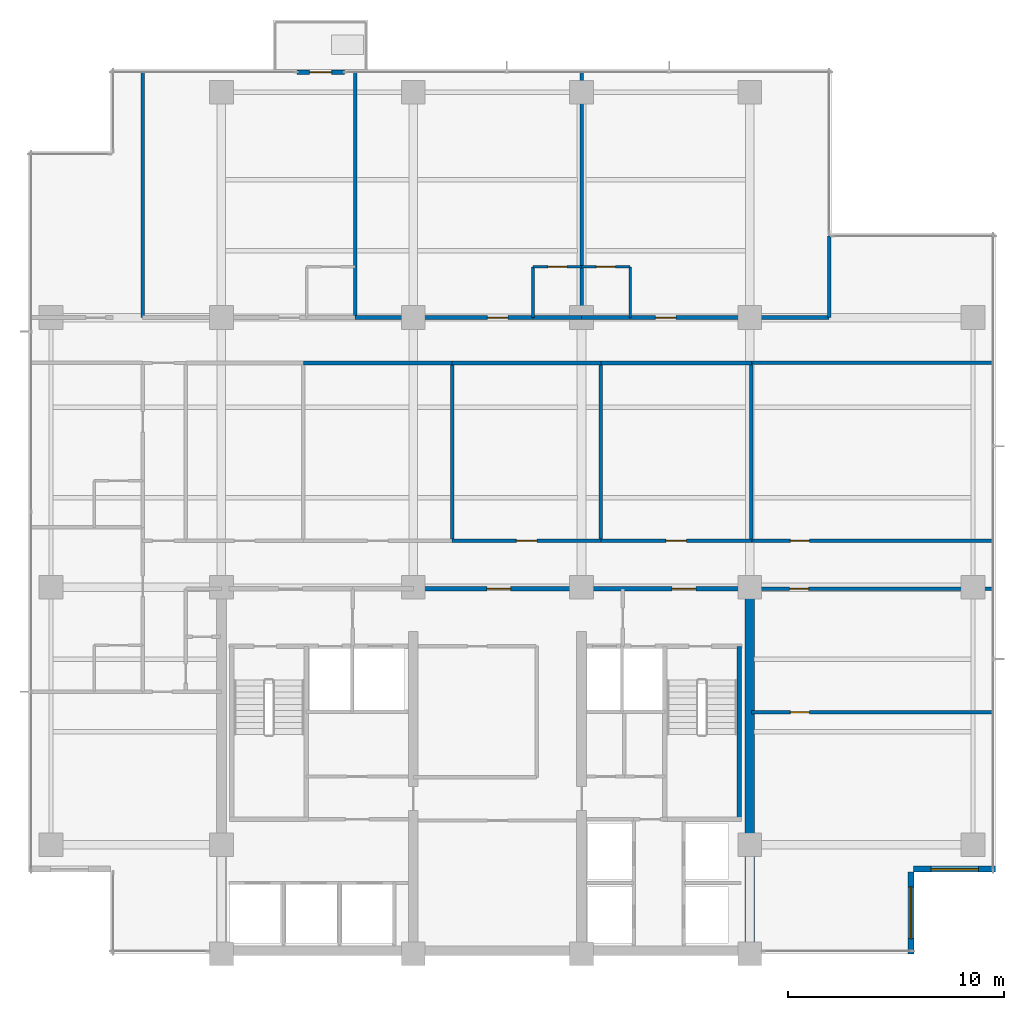
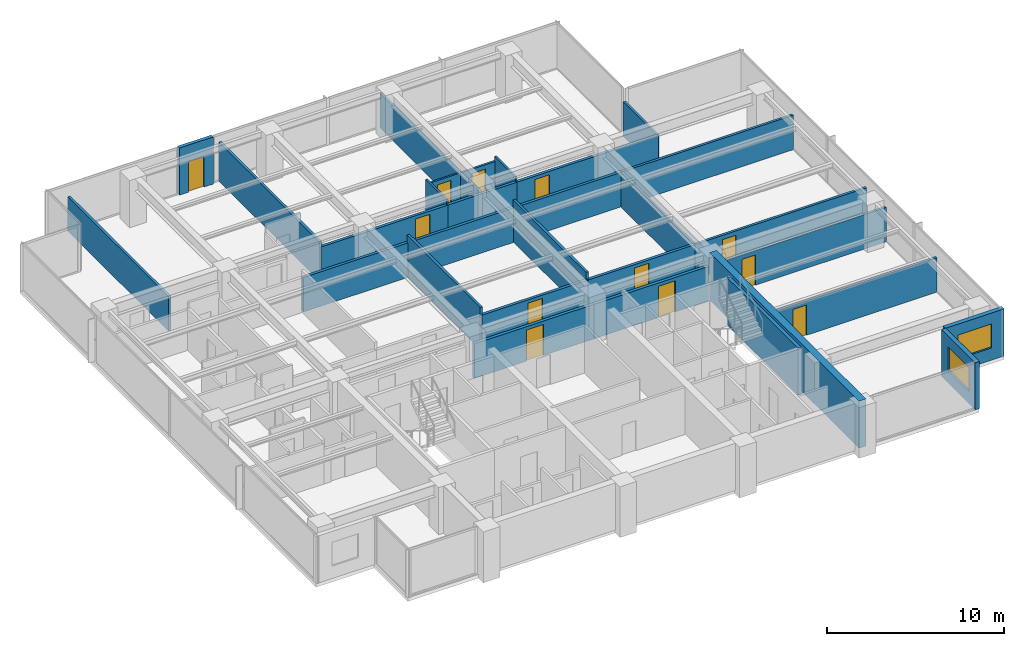
# One storey, part 9 of 14: 31 walls, 12 doors, 2 windows, 14 openings.
"""IFC4 building model written with IfcOpenShell, lengths in metres."""

from ifc_helpers import new_model, si_unit, direction, frame, frame_2d, origin, place, context, subcontext, project, spatial, rectangle, extrude, material, layer, layer_set, type_object, element, fill, save


model = new_model("IFC4")

# Units and contexts
model_context = context("Model", 3, precision=1e-05, world=origin(), true_north=direction((0.0, 1.0)))
body_context = subcontext(model_context, "Body", "Model", "MODEL_VIEW")
ifc_project = project(units=[si_unit("LENGTHUNIT", "METRE"), si_unit("AREAUNIT", "SQUARE_METRE"), si_unit("VOLUMEUNIT", "CUBIC_METRE"), si_unit("PLANEANGLEUNIT", "RADIAN"), si_unit("MASSUNIT", "GRAM", prefix="KILO")], contexts=[model_context])

# Site, building, storey
site_placement = place(None, origin())
site = spatial("IfcSite", under=ifc_project, at=site_placement, CompositionType="ELEMENT")
building_placement = place(site_placement, origin())
building = spatial("IfcBuilding", under=site, at=building_placement, Name="Qalmaran Belvedere Hotel", CompositionType="ELEMENT")
storey_placement = place(building_placement, frame((0.0, 0.0, 166.60009765625)))
storey = spatial("IfcBuildingStorey", under=building, at=storey_placement, Name="L42", CompositionType="ELEMENT", Elevation=166.60009765625)

# Wall, opening, door
ifc_material_1 = material(Name="Anodised Bronze Cladding")
ifc_layer_1 = layer(ifc_material_1, 0.22509765625, Name="Anodised Bronze Cladding")
ifc_layer_set_1 = layer_set([ifc_layer_1], Name="Anodised Bronze Cladding")
wall_type_1 = type_object("IfcWallType", Name="WL-BAL-PORT-225", PredefinedType="SOLIDWALL", material=ifc_layer_set_1)
wall_1_placement = place(storey_placement, frame((23.800048828125, 44.3798828125, 0.0), z_axis=(0.0, 0.0, 1.0), x_axis=(1.0, 0.0, 0.0)))
wall_1 = element("IfcWall", 1, at=wall_1_placement, inside=storey, type_object=wall_type_1, Name="L42 Tree Balcony Door Portal", PredefinedType="SOLIDWALL", context=body_context, shape_type="SweptSolid", body=[
    extrude(rectangle(XDim=2.199951171875, YDim=0.22509765625, at=frame_2d((1.10009765625, 0.0))), origin(), (0.0, 0.0, 1.0), 3.25),
])
opening_1_placement = place(wall_1_placement, frame((0.590087890625, 0.0, 0.0)))
opening_1 = element("IfcOpeningElement", 2, at=opening_1_placement, cuts=wall_1, Name="Opening BL-102", PredefinedType="OPENING", context=body_context, shape_type="SweptSolid", body=[
    extrude(rectangle(XDim=1.02001953125, YDim=2.10009765625, at=frame_2d((0.510009765625, 1.050048828125))), frame((0.0, 0.12255859375, 0.0), z_axis=(0.0, -1.0, 0.0), x_axis=(1.0, 0.0, 0.0)), (0.0, 0.0, 1.0), 0.2451171875),
])
ifc_material_2 = material(Name="Anodised Bronze Aluminium", Category="aluminium")
door_type_1 = type_object("IfcDoorType", Name="DR-BAL-1020X2100", OperationType="NOTDEFINED", PredefinedType="DOOR", material=ifc_material_2)
door_1_placement = place(opening_1_placement, origin())
door_1 = element("IfcDoor", 3, at=door_1_placement, inside=storey, type_object=door_type_1, Name="L42 Planted Tree Balcony Door", OperationType="SINGLE_SWING_LEFT", OverallHeight=2.10009765625, OverallWidth=1.02001953125, PredefinedType="DOOR", context=body_context, shape_type="SweptSolid", body=[
    extrude(rectangle(XDim=1.02001953125, YDim=2.10009765625, at=frame_2d((0.510009765625, 1.050048828125))), frame((0.0, 0.02490234375, 0.0), z_axis=(0.0, -1.0, 0.0), x_axis=(1.0, 0.0, 0.0)), (0.0, 0.0, 1.0), 0.050048828125),
])
fill(opening_1, door_1)

# Wall
ifc_material_3 = material(Name="Concrete C50/60", Category="concrete")
ifc_layer_2 = layer(ifc_material_3, 0.449951171875, Name="Concrete C50/60")
ifc_layer_set_2 = layer_set([ifc_layer_2], Name="Concrete C50/60")
wall_type_2 = type_object("IfcWallType", Name="WL-CORE-450-C50", PredefinedType="SHEAR", material=ifc_layer_set_2)
wall_2_placement = place(storey_placement, frame((44.800048828125, 3.5, 0.0), z_axis=(0.0, 0.0, 1.0), x_axis=(0.0, 1.0, 0.0)))
element("IfcWall", 4, at=wall_2_placement, inside=storey, type_object=wall_type_2, Name="L42 East Core Shear Wall", PredefinedType="SHEAR", context=body_context, shape_type="SweptSolid", body=[
    extrude(rectangle(XDim=16.89990234375, YDim=0.449951171875, at=frame_2d((8.449951171875, 0.0))), origin(), (0.0, 0.0, 1.0), 3.25),
])

# Wall, opening, window
ifc_layer_3 = layer(ifc_material_1, 0.280029296875, Name="Anodised Bronze Cladding")
ifc_layer_set_3 = layer_set([ifc_layer_3], Name="Anodised Bronze Cladding")
wall_type_3 = type_object("IfcWallType", Name="WL-EXT-BRNZ-280", PredefinedType="SOLIDWALL", material=ifc_layer_set_3)
wall_3_placement = place(storey_placement, frame((52.280029296875, 3.5, 0.0), z_axis=(0.0, 0.0, 1.0), x_axis=(0.0, 1.0, 0.0)))
wall_3 = element("IfcWall", 5, at=wall_3_placement, inside=storey, type_object=wall_type_3, Name="L42 Corner Notch Wall 1", PredefinedType="SOLIDWALL", context=body_context, shape_type="SweptSolid", body=[
    extrude(rectangle(XDim=3.800048828125, YDim=0.280029296875, at=frame_2d((1.89990234375, 0.0))), origin(), (0.0, 0.0, 1.0), 3.25),
])
opening_2_placement = place(wall_3_placement, frame((0.699951171875, 0.0, 0.85009765625)))
opening_2 = element("IfcOpeningElement", 6, at=opening_2_placement, cuts=wall_3, Name="Opening W-N24", PredefinedType="OPENING", context=body_context, shape_type="SweptSolid", body=[
    extrude(rectangle(XDim=2.39990234375, YDim=1.64990234375, at=frame_2d((1.199951171875, 0.824951171875))), frame((0.0, 0.14990234375, 0.0), z_axis=(0.0, -1.0, 0.0), x_axis=(1.0, 0.0, 0.0)), (0.0, 0.0, 1.0), 0.300048828125),
])
ifc_material_4 = material(Name="Solar-Control Double Glazing", Category="glass")
window_type_1 = type_object("IfcWindowType", Name="WN-NTC-2400X1650", PartitioningType="SINGLE_PANEL", PredefinedType="WINDOW", material=ifc_material_4)
window_1_placement = place(opening_2_placement, origin())
window_1 = element("IfcWindow", 7, at=window_1_placement, inside=storey, type_object=window_type_1, Name="L42 Corner Notch Window 1", OverallHeight=1.64990234375, OverallWidth=2.39990234375, PartitioningType="SINGLE_PANEL", PredefinedType="WINDOW", context=body_context, shape_type="SweptSolid", body=[
    extrude(rectangle(XDim=2.39990234375, YDim=1.64990234375, at=frame_2d((1.199951171875, 0.824951171875))), frame((0.0, 0.030029296875, 0.0), z_axis=(0.0, -1.0, 0.0), x_axis=(1.0, 0.0, 0.0)), (0.0, 0.0, 1.0), 0.06005859375),
])
fill(opening_2, window_1)

wall_4_placement = place(storey_placement, frame((52.39990234375, 7.419921875, 0.0), z_axis=(0.0, 0.0, 1.0), x_axis=(1.0, 0.0, 0.0)))
wall_4 = element("IfcWall", 8, at=wall_4_placement, inside=storey, type_object=wall_type_3, Name="L42 Corner Notch Wall 2", PredefinedType="SOLIDWALL", context=body_context, shape_type="SweptSolid", body=[
    extrude(rectangle(XDim=3.800048828125, YDim=0.280029296875, at=frame_2d((1.89990234375, 0.0))), origin(), (0.0, 0.0, 1.0), 3.25),
])
opening_3_placement = place(wall_4_placement, frame((0.800048828125, 0.0, 0.85009765625)))
opening_3 = element("IfcOpeningElement", 9, at=opening_3_placement, cuts=wall_4, Name="Opening W-N22", PredefinedType="OPENING", context=body_context, shape_type="SweptSolid", body=[
    extrude(rectangle(XDim=2.199951171875, YDim=1.64990234375, at=frame_2d((1.10009765625, 0.824951171875))), frame((0.0, 0.14990234375, 0.0), z_axis=(0.0, -1.0, 0.0), x_axis=(1.0, 0.0, 0.0)), (0.0, 0.0, 1.0), 0.300048828125),
])
window_type_2 = type_object("IfcWindowType", Name="WN-NTC-2200X1650", PartitioningType="SINGLE_PANEL", PredefinedType="WINDOW", material=ifc_material_4)
window_2_placement = place(opening_3_placement, origin())
window_2 = element("IfcWindow", 10, at=window_2_placement, inside=storey, type_object=window_type_2, Name="L42 Corner Notch Window 2", OverallHeight=1.64990234375, OverallWidth=2.199951171875, PartitioningType="SINGLE_PANEL", PredefinedType="WINDOW", context=body_context, shape_type="SweptSolid", body=[
    extrude(rectangle(XDim=2.199951171875, YDim=1.64990234375, at=frame_2d((1.10009765625, 0.824951171875))), frame((0.0, 0.030029296875, 0.0), z_axis=(0.0, -1.0, 0.0), x_axis=(1.0, 0.0, 0.0)), (0.0, 0.0, 1.0), 0.06005859375),
])
fill(opening_3, window_2)

# Wall, opening, door
ifc_material_5 = material(Name="Moisture-Resistant Gypsum")
ifc_layer_4 = layer(ifc_material_5, 0.1201171875, Name="Moisture-Resistant Gypsum")
ifc_layer_set_4 = layer_set([ifc_layer_4], Name="Moisture-Resistant Gypsum")
wall_type_4 = type_object("IfcWallType", Name="WL-INT-120-BATH", PredefinedType="PARTITIONING", material=ifc_layer_set_4)
wall_5_placement = place(storey_placement, frame((34.75, 35.35009765625, 0.0), z_axis=(0.0, 0.0, 1.0), x_axis=(1.0, 0.0, 0.0)))
wall_5 = element("IfcWall", 11, at=wall_5_placement, inside=storey, type_object=wall_type_4, Name="L42 Partition WL-L42-NBN01", PredefinedType="PARTITIONING", context=body_context, shape_type="SweptSolid", body=[
    extrude(rectangle(XDim=2.25, YDim=0.1201171875, at=frame_2d((1.125, 0.0))), origin(), (0.0, 0.0, 1.0), 2.3798828125),
])
opening_4_placement = place(wall_5_placement, frame((1.56494140625, 0.0, 0.0), z_axis=(0.0, 0.0, 1.0), x_axis=(-1.0, 0.0, 0.0)))
opening_4 = element("IfcOpeningElement", 12, at=opening_4_placement, cuts=wall_5, Name="Opening D-BATH", PredefinedType="OPENING", context=body_context, shape_type="SweptSolid", body=[
    extrude(rectangle(XDim=0.8798828125, YDim=2.080078125, at=frame_2d((0.43994140625, 1.0400390625))), frame((0.0, 0.070068359375, 0.0), z_axis=(0.0, -1.0, 0.0), x_axis=(1.0, 0.0, 0.0)), (0.0, 0.0, 1.0), 0.14013671875),
])
ifc_material_6 = material(Name="Engineered Oak Veneer")
door_type_2 = type_object("IfcDoorType", Name="DR-INT-BATH-880X2080", OperationType="NOTDEFINED", PredefinedType="DOOR", material=ifc_material_6)
door_2_placement = place(opening_4_placement, origin())
door_2 = element("IfcDoor", 13, at=door_2_placement, inside=storey, type_object=door_type_2, Name="L42 Ensuite Bathroom Door N02", OperationType="SINGLE_SWING_RIGHT", OverallHeight=2.080078125, OverallWidth=0.8798828125, PredefinedType="DOOR", context=body_context, shape_type="SweptSolid", body=[
    extrude(rectangle(XDim=0.8798828125, YDim=2.080078125, at=frame_2d((0.43994140625, 1.0400390625))), frame((0.0, 0.02490234375, 0.0), z_axis=(0.0, -1.0, 0.0), x_axis=(1.0, 0.0, 0.0)), (0.0, 0.0, 1.0), 0.050048828125),
])
fill(opening_4, door_2)

# Wall
wall_6_placement = place(storey_placement, frame((34.75, 33.0, 0.0), z_axis=(0.0, 0.0, 1.0), x_axis=(0.0, 1.0, 0.0)))
element("IfcWall", 14, at=wall_6_placement, inside=storey, type_object=wall_type_4, Name="L42 Partition WL-L42-NBS01", PredefinedType="PARTITIONING", context=body_context, shape_type="SweptSolid", body=[
    extrude(rectangle(XDim=2.35009765625, YDim=0.1201171875, at=frame_2d((1.175048828125, 0.0))), origin(), (0.0, 0.0, 1.0), 2.69189453125),
])

# Wall, opening, door
wall_7_placement = place(storey_placement, frame((37.0, 35.35009765625, 0.0), z_axis=(0.0, 0.0, 1.0), x_axis=(1.0, 0.0, 0.0)))
wall_7 = element("IfcWall", 15, at=wall_7_placement, inside=storey, type_object=wall_type_4, Name="L42 Partition WL-L42-NBN02", PredefinedType="PARTITIONING", context=body_context, shape_type="SweptSolid", body=[
    extrude(rectangle(XDim=2.25, YDim=0.1201171875, at=frame_2d((1.125, 0.0))), origin(), (0.0, 0.0, 1.0), 2.3798828125),
])
opening_5_placement = place(wall_7_placement, frame((1.56494140625, 0.0, 0.0), z_axis=(0.0, 0.0, 1.0), x_axis=(-1.0, 0.0, 0.0)))
opening_5 = element("IfcOpeningElement", 16, at=opening_5_placement, cuts=wall_7, Name="Opening D-BATH", PredefinedType="OPENING", context=body_context, shape_type="SweptSolid", body=[
    extrude(rectangle(XDim=0.8798828125, YDim=2.080078125, at=frame_2d((0.43994140625, 1.0400390625))), frame((0.0, 0.070068359375, 0.0), z_axis=(0.0, -1.0, 0.0), x_axis=(1.0, 0.0, 0.0)), (0.0, 0.0, 1.0), 0.14013671875),
])
door_3_placement = place(opening_5_placement, origin())
door_3 = element("IfcDoor", 17, at=door_3_placement, inside=storey, type_object=door_type_2, Name="L42 Ensuite Bathroom Door N03", OperationType="SINGLE_SWING_RIGHT", OverallHeight=2.080078125, OverallWidth=0.8798828125, PredefinedType="DOOR", context=body_context, shape_type="SweptSolid", body=[
    extrude(rectangle(XDim=0.8798828125, YDim=2.080078125, at=frame_2d((0.43994140625, 1.0400390625))), frame((0.0, 0.02490234375, 0.0), z_axis=(0.0, -1.0, 0.0), x_axis=(1.0, 0.0, 0.0)), (0.0, 0.0, 1.0), 0.050048828125),
])
fill(opening_5, door_3)

# Wall
wall_8_placement = place(storey_placement, frame((39.25, 33.0, 0.0), z_axis=(0.0, 0.0, 1.0), x_axis=(0.0, 1.0, 0.0)))
element("IfcWall", 18, at=wall_8_placement, inside=storey, type_object=wall_type_4, Name="L42 Partition WL-L42-NBS02", PredefinedType="PARTITIONING", context=body_context, shape_type="SweptSolid", body=[
    extrude(rectangle(XDim=2.35009765625, YDim=0.1201171875, at=frame_2d((1.175048828125, 0.0))), origin(), (0.0, 0.0, 1.0), 2.69189453125),
])

# Wall, opening, door
ifc_material_7 = material(Name="Gypsum Stud Partition")
ifc_layer_5 = layer(ifc_material_7, 0.14990234375, Name="Gypsum Stud Partition")
ifc_layer_set_5 = layer_set([ifc_layer_5], Name="Gypsum Stud Partition")
wall_type_5 = type_object("IfcWallType", Name="WL-INT-150-EI60", PredefinedType="PARTITIONING", material=ifc_layer_set_5)
wall_9_placement = place(storey_placement, frame((44.8798828125, 14.699951171875, 0.0), z_axis=(0.0, 0.0, 1.0), x_axis=(1.0, 0.0, 0.0)))
wall_9 = element("IfcWall", 19, at=wall_9_placement, inside=storey, type_object=wall_type_5, Name="L42 Partition WL-L42-ECEH0", PredefinedType="PARTITIONING", context=body_context, shape_type="SweptSolid", body=[
    extrude(rectangle(XDim=11.2001953125, YDim=0.14990234375, at=frame_2d((5.60009765625, 0.0))), origin(), (0.0, 0.0, 1.0), 2.3798828125),
])
opening_6_placement = place(wall_9_placement, frame((2.679931640625, 0.0, 0.0), z_axis=(0.0, 0.0, 1.0), x_axis=(-1.0, 0.0, 0.0)))
opening_6 = element("IfcOpeningElement", 20, at=opening_6_placement, cuts=wall_9, Name="Opening FD60B", PredefinedType="OPENING", context=body_context, shape_type="SweptSolid", body=[
    extrude(rectangle(XDim=0.8798828125, YDim=2.080078125, at=frame_2d((0.43994140625, 1.0400390625))), frame((0.0, 0.0849609375, 0.0), z_axis=(0.0, -1.0, 0.0), x_axis=(1.0, 0.0, 0.0)), (0.0, 0.0, 1.0), 0.169921875),
])
ifc_material_8 = material(Name="Steel S355JR", Category="steel")
door_type_3 = type_object("IfcDoorType", Name="DR-FD60B-880X2080", OperationType="NOTDEFINED", PredefinedType="DOOR", material=ifc_material_8)
door_4_placement = place(opening_6_placement, origin())
door_4 = element("IfcDoor", 21, at=door_4_placement, inside=storey, type_object=door_type_3, Name="L42 East Study Inner Door", OperationType="SINGLE_SWING_LEFT", OverallHeight=2.080078125, OverallWidth=0.8798828125, PredefinedType="DOOR", context=body_context, shape_type="SweptSolid", body=[
    extrude(rectangle(XDim=0.8798828125, YDim=2.080078125, at=frame_2d((0.43994140625, 1.0400390625))), frame((0.0, 0.02490234375, 0.0), z_axis=(0.0, -1.0, 0.0), x_axis=(1.0, 0.0, 0.0)), (0.0, 0.0, 1.0), 0.050048828125),
])
fill(opening_6, door_4)

ifc_layer_6 = layer(ifc_material_7, 0.159912109375, Name="Gypsum Stud Partition")
ifc_layer_set_6 = layer_set([ifc_layer_6], Name="Gypsum Stud Partition")
wall_type_6 = type_object("IfcWallType", Name="WL-INT-160-EI60", PredefinedType="PARTITIONING", material=ifc_layer_set_6)
wall_10_placement = place(storey_placement, frame((44.800048828125, 20.419921875, 0.0), z_axis=(0.0, 0.0, 1.0), x_axis=(1.0, 0.0, 0.0)))
wall_10 = element("IfcWall", 22, at=wall_10_placement, inside=storey, type_object=wall_type_6, Name="L42 Partition WL-L42-ECE1S", PredefinedType="PARTITIONING", context=body_context, shape_type="SweptSolid", body=[
    extrude(rectangle(XDim=11.280029296875, YDim=0.159912109375, at=frame_2d((5.64013671875, 0.0))), origin(), (0.0, 0.0, 1.0), 2.3798828125),
])
opening_7_placement = place(wall_10_placement, frame((2.72998046875, 0.0, 0.0), z_axis=(0.0, 0.0, 1.0), x_axis=(-1.0, 0.0, 0.0)))
opening_7 = element("IfcOpeningElement", 23, at=opening_7_placement, cuts=wall_10, Name="Opening FD60B", PredefinedType="OPENING", context=body_context, shape_type="SweptSolid", body=[
    extrude(rectangle(XDim=0.8798828125, YDim=2.080078125, at=frame_2d((0.43994140625, 1.0400390625))), frame((0.0, 0.08984375, 0.0), z_axis=(0.0, -1.0, 0.0), x_axis=(1.0, 0.0, 0.0)), (0.0, 0.0, 1.0), 0.179931640625),
])
door_5_placement = place(opening_7_placement, origin())
door_5 = element("IfcDoor", 24, at=door_5_placement, inside=storey, type_object=door_type_3, Name="L42 East Library Door", OperationType="SINGLE_SWING_RIGHT", OverallHeight=2.080078125, OverallWidth=0.8798828125, PredefinedType="DOOR", context=body_context, shape_type="SweptSolid", body=[
    extrude(rectangle(XDim=0.8798828125, YDim=2.080078125, at=frame_2d((0.43994140625, 1.0400390625))), frame((0.0, 0.02490234375, 0.0), z_axis=(0.0, -1.0, 0.0), x_axis=(1.0, 0.0, 0.0)), (0.0, 0.0, 1.0), 0.050048828125),
])
fill(opening_7, door_5)

wall_11_placement = place(storey_placement, frame((44.8798828125, 22.64990234375, 0.0), z_axis=(0.0, 0.0, 1.0), x_axis=(1.0, 0.0, 0.0)))
wall_11 = element("IfcWall", 25, at=wall_11_placement, inside=storey, type_object=wall_type_6, Name="L42 Partition WL-L42-ECE2N", PredefinedType="PARTITIONING", context=body_context, shape_type="SweptSolid", body=[
    extrude(rectangle(XDim=11.2001953125, YDim=0.159912109375, at=frame_2d((5.60009765625, 0.0))), origin(), (0.0, 0.0, 1.0), 2.3798828125),
])
opening_8_placement = place(wall_11_placement, frame((1.800048828125, 0.0, 0.0)))
opening_8 = element("IfcOpeningElement", 26, at=opening_8_placement, cuts=wall_11, Name="Opening FD60B", PredefinedType="OPENING", context=body_context, shape_type="SweptSolid", body=[
    extrude(rectangle(XDim=0.8798828125, YDim=2.080078125, at=frame_2d((0.43994140625, 1.0400390625))), frame((0.0, 0.08984375, 0.0), z_axis=(0.0, -1.0, 0.0), x_axis=(1.0, 0.0, 0.0)), (0.0, 0.0, 1.0), 0.179931640625),
])
door_6_placement = place(opening_8_placement, origin())
door_6 = element("IfcDoor", 27, at=door_6_placement, inside=storey, type_object=door_type_3, Name="L42 East Fitness Door", OperationType="SINGLE_SWING_LEFT", OverallHeight=2.080078125, OverallWidth=0.8798828125, PredefinedType="DOOR", context=body_context, shape_type="SweptSolid", body=[
    extrude(rectangle(XDim=0.8798828125, YDim=2.080078125, at=frame_2d((0.43994140625, 1.0400390625))), frame((0.0, 0.02490234375, 0.0), z_axis=(0.0, -1.0, 0.0), x_axis=(1.0, 0.0, 0.0)), (0.0, 0.0, 1.0), 0.050048828125),
])
fill(opening_8, door_6)

# Walls
wall_12_placement = place(storey_placement, frame((44.8798828125, 30.89990234375, 0.0), z_axis=(0.0, 0.0, 1.0), x_axis=(1.0, 0.0, 0.0)))
element("IfcWall", 28, at=wall_12_placement, inside=storey, type_object=wall_type_6, Name="L42 Partition WL-L42-ECEN", PredefinedType="PARTITIONING", context=body_context, shape_type="SweptSolid", body=[
    extrude(rectangle(XDim=11.2001953125, YDim=0.159912109375, at=frame_2d((5.60009765625, 0.0))), origin(), (0.0, 0.0, 1.0), 2.3798828125),
])
for number, where, z_axis, x_axis, name in (
    (29, (31.0, 22.64990234375, 0.0), (0.0, 0.0, 1.0), (0.0, 1.0, 0.0), "L42 Partition WL-L42-MIDVR2"),
    (30, (37.89990234375, 22.64990234375, 0.0), (0.0, 0.0, 1.0), (0.0, 1.0, 0.0), "L42 Partition WL-L42-MIDVR3"),
):
    element("IfcWall", number, at=place(storey_placement, frame(where, z_axis=z_axis, x_axis=x_axis)), inside=storey, type_object=wall_type_6, Name=name, PredefinedType="PARTITIONING", context=body_context, shape_type="SweptSolid", body=[
        extrude(rectangle(XDim=8.25, YDim=0.159912109375, at=frame_2d((4.125, 0.0))), origin(), (0.0, 0.0, 1.0), 2.880859375),
    ])
wall_13_placement = place(storey_placement, frame((44.8798828125, 22.64990234375, 0.0), z_axis=(0.0, 0.0, 1.0), x_axis=(0.0, 1.0, 0.0)))
element("IfcWall", 31, at=wall_13_placement, inside=storey, type_object=wall_type_6, Name="L42 Partition WL-L42-MIDVR4", PredefinedType="PARTITIONING", context=body_context, shape_type="SweptSolid", body=[
    extrude(rectangle(XDim=8.25, YDim=0.159912109375, at=frame_2d((4.125, 0.0))), origin(), (0.0, 0.0, 1.0), 2.3798828125),
])
wall_14_placement = place(storey_placement, frame((16.64990234375, 33.0, 0.0), z_axis=(0.0, 0.0, 1.0), x_axis=(0.0, 1.0, 0.0)))
element("IfcWall", 32, at=wall_14_placement, inside=storey, type_object=wall_type_6, Name="L42 Partition WL-L42-NUL", PredefinedType="PARTITIONING", context=body_context, shape_type="SweptSolid", body=[
    extrude(rectangle(XDim=11.3798828125, YDim=0.159912109375, at=frame_2d((5.68994140625, 0.0))), origin(), (0.0, 0.0, 1.0), 2.3798828125),
])
wall_15_placement = place(storey_placement, frame((26.5, 33.0, 0.0), z_axis=(0.0, 0.0, 1.0), x_axis=(0.0, 1.0, 0.0)))
element("IfcWall", 33, at=wall_15_placement, inside=storey, type_object=wall_type_6, Name="L42 Partition WL-L42-NUR00", PredefinedType="PARTITIONING", context=body_context, shape_type="SweptSolid", body=[
    extrude(rectangle(XDim=11.3798828125, YDim=0.159912109375, at=frame_2d((5.68994140625, 0.0))), origin(), (0.0, 0.0, 1.0), 2.69189453125),
])
wall_16_placement = place(storey_placement, frame((37.0, 33.0, 0.0), z_axis=(0.0, 0.0, 1.0), x_axis=(0.0, 1.0, 0.0)))
element("IfcWall", 34, at=wall_16_placement, inside=storey, type_object=wall_type_6, Name="L42 Partition WL-L42-NUR01", PredefinedType="PARTITIONING", context=body_context, shape_type="SweptSolid", body=[
    extrude(rectangle(XDim=11.3798828125, YDim=0.159912109375, at=frame_2d((5.68994140625, 0.0))), origin(), (0.0, 0.0, 1.0), 2.3798828125),
])
wall_17_placement = place(storey_placement, frame((48.47998046875, 33.0, 0.0), z_axis=(0.0, 0.0, 1.0), x_axis=(0.0, 1.0, 0.0)))
element("IfcWall", 35, at=wall_17_placement, inside=storey, type_object=wall_type_6, Name="L42 Partition WL-L42-NUR02", PredefinedType="PARTITIONING", context=body_context, shape_type="SweptSolid", body=[
    extrude(rectangle(XDim=3.780029296875, YDim=0.159912109375, at=frame_2d((1.89013671875, 0.0))), origin(), (0.0, 0.0, 1.0), 2.3798828125),
])
ifc_layer_7 = layer(ifc_material_7, 0.179931640625, Name="Gypsum Stud Partition")
ifc_layer_set_7 = layer_set([ifc_layer_7], Name="Gypsum Stud Partition")
wall_type_7 = type_object("IfcWallType", Name="WL-INT-180-EI60", PredefinedType="PARTITIONING", material=ifc_layer_set_7)
wall_18_placement = place(storey_placement, frame((24.10009765625, 30.89990234375, 0.0), z_axis=(0.0, 0.0, 1.0), x_axis=(1.0, 0.0, 0.0)))
element("IfcWall", 36, at=wall_18_placement, inside=storey, type_object=wall_type_7, Name="L42 Partition WL-L42-MIDO2", PredefinedType="PARTITIONING", context=body_context, shape_type="SweptSolid", body=[
    extrude(rectangle(XDim=6.89990234375, YDim=0.179931640625, at=frame_2d((3.449951171875, 0.0))), origin(), (0.0, 0.0, 1.0), 2.3798828125),
])

# Wall, opening, door
wall_19_placement = place(storey_placement, frame((31.0, 22.64990234375, 0.0), z_axis=(0.0, 0.0, 1.0), x_axis=(1.0, 0.0, 0.0)))
wall_19 = element("IfcWall", 37, at=wall_19_placement, inside=storey, type_object=wall_type_7, Name="L42 Partition WL-L42-MIDD3", PredefinedType="PARTITIONING", context=body_context, shape_type="SweptSolid", body=[
    extrude(rectangle(XDim=6.89990234375, YDim=0.179931640625, at=frame_2d((3.449951171875, 0.0))), origin(), (0.0, 0.0, 1.0), 2.3798828125),
])
opening_9_placement = place(wall_19_placement, frame((2.97509765625, 0.0, 0.0)))
opening_9 = element("IfcOpeningElement", 38, at=opening_9_placement, cuts=wall_19, Name="Opening FD60", PredefinedType="OPENING", context=body_context, shape_type="SweptSolid", body=[
    extrude(rectangle(XDim=0.949951171875, YDim=2.14990234375, at=frame_2d((0.47509765625, 1.074951171875))), frame((0.0, 0.10009765625, 0.0), z_axis=(0.0, -1.0, 0.0), x_axis=(1.0, 0.0, 0.0)), (0.0, 0.0, 1.0), 0.199951171875),
])
door_type_4 = type_object("IfcDoorType", Name="DR-FD60-950X2150", OperationType="NOTDEFINED", PredefinedType="DOOR", material=ifc_material_6)
door_7_placement = place(opening_9_placement, origin())
door_7 = element("IfcDoor", 39, at=door_7_placement, inside=storey, type_object=door_type_4, Name="L42 Coffee Pantry Door", OperationType="SINGLE_SWING_RIGHT", OverallHeight=2.14990234375, OverallWidth=0.949951171875, PredefinedType="DOOR", context=body_context, shape_type="SweptSolid", body=[
    extrude(rectangle(XDim=0.949951171875, YDim=2.14990234375, at=frame_2d((0.47509765625, 1.074951171875))), frame((0.0, 0.02490234375, 0.0), z_axis=(0.0, -1.0, 0.0), x_axis=(1.0, 0.0, 0.0)), (0.0, 0.0, 1.0), 0.050048828125),
])
fill(opening_9, door_7)

# Wall
wall_20_placement = place(storey_placement, frame((31.0, 30.89990234375, 0.0), z_axis=(0.0, 0.0, 1.0), x_axis=(1.0, 0.0, 0.0)))
element("IfcWall", 40, at=wall_20_placement, inside=storey, type_object=wall_type_7, Name="L42 Partition WL-L42-MIDO3", PredefinedType="PARTITIONING", context=body_context, shape_type="SweptSolid", body=[
    extrude(rectangle(XDim=6.89990234375, YDim=0.179931640625, at=frame_2d((3.449951171875, 0.0))), origin(), (0.0, 0.0, 1.0), 2.3798828125),
])

# Wall, opening, door
wall_21_placement = place(storey_placement, frame((37.89990234375, 22.64990234375, 0.0), z_axis=(0.0, 0.0, 1.0), x_axis=(1.0, 0.0, 0.0)))
wall_21 = element("IfcWall", 41, at=wall_21_placement, inside=storey, type_object=wall_type_7, Name="L42 Partition WL-L42-MIDD4", PredefinedType="PARTITIONING", context=body_context, shape_type="SweptSolid", body=[
    extrude(rectangle(XDim=6.97998046875, YDim=0.179931640625, at=frame_2d((3.489990234375, 0.0))), origin(), (0.0, 0.0, 1.0), 2.3798828125),
])
opening_10_placement = place(wall_21_placement, frame((3.014892578125, 0.0, 0.0)))
opening_10 = element("IfcOpeningElement", 42, at=opening_10_placement, cuts=wall_21, Name="Opening FD60", PredefinedType="OPENING", context=body_context, shape_type="SweptSolid", body=[
    extrude(rectangle(XDim=0.949951171875, YDim=2.14990234375, at=frame_2d((0.47509765625, 1.074951171875))), frame((0.0, 0.10009765625, 0.0), z_axis=(0.0, -1.0, 0.0), x_axis=(1.0, 0.0, 0.0)), (0.0, 0.0, 1.0), 0.199951171875),
])
door_8_placement = place(opening_10_placement, origin())
door_8 = element("IfcDoor", 43, at=door_8_placement, inside=storey, type_object=door_type_4, Name="L42 Beverage Pantry Door", OperationType="SINGLE_SWING_LEFT", OverallHeight=2.14990234375, OverallWidth=0.949951171875, PredefinedType="DOOR", context=body_context, shape_type="SweptSolid", body=[
    extrude(rectangle(XDim=0.949951171875, YDim=2.14990234375, at=frame_2d((0.47509765625, 1.074951171875))), frame((0.0, 0.02490234375, 0.0), z_axis=(0.0, -1.0, 0.0), x_axis=(1.0, 0.0, 0.0)), (0.0, 0.0, 1.0), 0.050048828125),
])
fill(opening_10, door_8)

# Walls
wall_22_placement = place(storey_placement, frame((37.89990234375, 30.89990234375, 0.0), z_axis=(0.0, 0.0, 1.0), x_axis=(1.0, 0.0, 0.0)))
element("IfcWall", 44, at=wall_22_placement, inside=storey, type_object=wall_type_7, Name="L42 Partition WL-L42-MIDO4", PredefinedType="PARTITIONING", context=body_context, shape_type="SweptSolid", body=[
    extrude(rectangle(XDim=6.97998046875, YDim=0.179931640625, at=frame_2d((3.489990234375, 0.0))), origin(), (0.0, 0.0, 1.0), 2.3798828125),
])
wall_23_placement = place(storey_placement, frame((34.75, 33.0, 0.0), z_axis=(0.0, 0.0, 1.0), x_axis=(1.0, 0.0, 0.0)))
element("IfcWall", 45, at=wall_23_placement, inside=storey, type_object=wall_type_7, Name="L42 Partition WL-L42-NBC01", PredefinedType="PARTITIONING", context=body_context, shape_type="SweptSolid", body=[
    extrude(rectangle(XDim=2.25, YDim=0.179931640625, at=frame_2d((1.125, 0.0))), origin(), (0.0, 0.0, 1.0), 2.3798828125),
])

# Wall, opening, door
wall_24_placement = place(storey_placement, frame((26.5, 33.0, 0.0), z_axis=(0.0, 0.0, 1.0), x_axis=(1.0, 0.0, 0.0)))
wall_24 = element("IfcWall", 46, at=wall_24_placement, inside=storey, type_object=wall_type_7, Name="L42 Partition WL-L42-NEC01", PredefinedType="PARTITIONING", context=body_context, shape_type="SweptSolid", body=[
    extrude(rectangle(XDim=8.25, YDim=0.179931640625, at=frame_2d((4.125, 0.0))), origin(), (0.0, 0.0, 1.0), 2.3798828125),
])
opening_11_placement = place(wall_24_placement, frame((6.1337890625, 0.0, 0.0)))
opening_11 = element("IfcOpeningElement", 47, at=opening_11_placement, cuts=wall_24, Name="Opening FD60", PredefinedType="OPENING", context=body_context, shape_type="SweptSolid", body=[
    extrude(rectangle(XDim=0.949951171875, YDim=2.14990234375, at=frame_2d((0.47509765625, 1.074951171875))), frame((0.0, 0.10009765625, 0.0), z_axis=(0.0, -1.0, 0.0), x_axis=(1.0, 0.0, 0.0)), (0.0, 0.0, 1.0), 0.199951171875),
])
door_9_placement = place(opening_11_placement, origin())
door_9 = element("IfcDoor", 48, at=door_9_placement, inside=storey, type_object=door_type_4, Name="L42 Guest Entrance Door N02", OperationType="SINGLE_SWING_LEFT", OverallHeight=2.14990234375, OverallWidth=0.949951171875, PredefinedType="DOOR", context=body_context, shape_type="SweptSolid", body=[
    extrude(rectangle(XDim=0.949951171875, YDim=2.14990234375, at=frame_2d((0.47509765625, 1.074951171875))), frame((0.0, 0.02490234375, 0.0), z_axis=(0.0, -1.0, 0.0), x_axis=(1.0, 0.0, 0.0)), (0.0, 0.0, 1.0), 0.050048828125),
])
fill(opening_11, door_9)

# Wall
wall_25_placement = place(storey_placement, frame((37.0, 33.0, 0.0), z_axis=(0.0, 0.0, 1.0), x_axis=(1.0, 0.0, 0.0)))
element("IfcWall", 49, at=wall_25_placement, inside=storey, type_object=wall_type_7, Name="L42 Partition WL-L42-NBC02", PredefinedType="PARTITIONING", context=body_context, shape_type="SweptSolid", body=[
    extrude(rectangle(XDim=2.25, YDim=0.179931640625, at=frame_2d((1.125, 0.0))), origin(), (0.0, 0.0, 1.0), 2.3798828125),
])

# Wall, opening, door
wall_26_placement = place(storey_placement, frame((39.25, 33.0, 0.0), z_axis=(0.0, 0.0, 1.0), x_axis=(1.0, 0.0, 0.0)))
wall_26 = element("IfcWall", 50, at=wall_26_placement, inside=storey, type_object=wall_type_7, Name="L42 Partition WL-L42-NEC02", PredefinedType="PARTITIONING", context=body_context, shape_type="SweptSolid", body=[
    extrude(rectangle(XDim=9.22998046875, YDim=0.179931640625, at=frame_2d((4.614990234375, 0.0))), origin(), (0.0, 0.0, 1.0), 2.3798828125),
])
opening_12_placement = place(wall_26_placement, frame((1.17041015625, 0.0, 0.0)))
opening_12 = element("IfcOpeningElement", 51, at=opening_12_placement, cuts=wall_26, Name="Opening FD60", PredefinedType="OPENING", context=body_context, shape_type="SweptSolid", body=[
    extrude(rectangle(XDim=0.949951171875, YDim=2.14990234375, at=frame_2d((0.47509765625, 1.074951171875))), frame((0.0, 0.10009765625, 0.0), z_axis=(0.0, -1.0, 0.0), x_axis=(1.0, 0.0, 0.0)), (0.0, 0.0, 1.0), 0.199951171875),
])
door_10_placement = place(opening_12_placement, origin())
door_10 = element("IfcDoor", 52, at=door_10_placement, inside=storey, type_object=door_type_4, Name="L42 Guest Entrance Door N03", OperationType="SINGLE_SWING_LEFT", OverallHeight=2.14990234375, OverallWidth=0.949951171875, PredefinedType="DOOR", context=body_context, shape_type="SweptSolid", body=[
    extrude(rectangle(XDim=0.949951171875, YDim=2.14990234375, at=frame_2d((0.47509765625, 1.074951171875))), frame((0.0, 0.02490234375, 0.0), z_axis=(0.0, -1.0, 0.0), x_axis=(1.0, 0.0, 0.0)), (0.0, 0.0, 1.0), 0.050048828125),
])
fill(opening_12, door_10)

ifc_material_9 = material(Name="Concrete C30/37 Blockwork", Category="masonry")
ifc_layer_8 = layer(ifc_material_9, 0.199951171875, Name="Concrete C30/37 Blockwork")
ifc_layer_set_8 = layer_set([ifc_layer_8], Name="Concrete C30/37 Blockwork")
wall_type_8 = type_object("IfcWallType", Name="WL-INT-200-EI120", PredefinedType="PARTITIONING", material=ifc_layer_set_8)
wall_27_placement = place(storey_placement, frame((29.199951171875, 20.419921875, 0.0), z_axis=(0.0, 0.0, 1.0), x_axis=(1.0, 0.0, 0.0)))
wall_27 = element("IfcWall", 53, at=wall_27_placement, inside=storey, type_object=wall_type_8, Name="L42 Partition WL-CN2-L42", PredefinedType="PARTITIONING", context=body_context, shape_type="SweptSolid", body=[
    extrude(rectangle(XDim=7.800048828125, YDim=0.199951171875, at=frame_2d((3.89990234375, 0.0))), origin(), (0.0, 0.0, 1.0), 2.3798828125),
])
opening_13_placement = place(wall_27_placement, frame((3.4091796875, 0.0, 0.0)))
opening_13 = element("IfcOpeningElement", 54, at=opening_13_placement, cuts=wall_27, Name="Opening FD90", PredefinedType="OPENING", context=body_context, shape_type="SweptSolid", body=[
    extrude(rectangle(XDim=1.10009765625, YDim=2.14990234375, at=frame_2d((0.550048828125, 1.074951171875))), frame((0.0, 0.10986328125, 0.0), z_axis=(0.0, -1.0, 0.0), x_axis=(1.0, 0.0, 0.0)), (0.0, 0.0, 1.0), 0.219970703125),
])
door_type_5 = type_object("IfcDoorType", Name="DR-FD90-1100X2150", OperationType="NOTDEFINED", PredefinedType="DOOR", material=ifc_material_8)
door_11_placement = place(opening_13_placement, origin())
door_11 = element("IfcDoor", 55, at=door_11_placement, inside=storey, type_object=door_type_5, Name="L42 Central Lift Lobby Door", OperationType="SINGLE_SWING_RIGHT", OverallHeight=2.14990234375, OverallWidth=1.10009765625, PredefinedType="DOOR", context=body_context, shape_type="SweptSolid", body=[
    extrude(rectangle(XDim=1.10009765625, YDim=2.14990234375, at=frame_2d((0.550048828125, 1.074951171875))), frame((0.0, 0.02490234375, 0.0), z_axis=(0.0, -1.0, 0.0), x_axis=(1.0, 0.0, 0.0)), (0.0, 0.0, 1.0), 0.050048828125),
])
fill(opening_13, door_11)

wall_28_placement = place(storey_placement, frame((37.0, 20.419921875, 0.0), z_axis=(0.0, 0.0, 1.0), x_axis=(1.0, 0.0, 0.0)))
wall_28 = element("IfcWall", 56, at=wall_28_placement, inside=storey, type_object=wall_type_8, Name="L42 Partition WL-CN3-L42", PredefinedType="PARTITIONING", context=body_context, shape_type="SweptSolid", body=[
    extrude(rectangle(XDim=7.449951171875, YDim=0.199951171875, at=frame_2d((3.72509765625, 0.0))), origin(), (0.0, 0.0, 1.0), 2.3798828125),
])
opening_14_placement = place(wall_28_placement, frame((4.199951171875, 0.0, 0.0)))
opening_14 = element("IfcOpeningElement", 57, at=opening_14_placement, cuts=wall_28, Name="Opening FD90", PredefinedType="OPENING", context=body_context, shape_type="SweptSolid", body=[
    extrude(rectangle(XDim=1.10009765625, YDim=2.14990234375, at=frame_2d((0.550048828125, 1.074951171875))), frame((0.0, 0.10986328125, 0.0), z_axis=(0.0, -1.0, 0.0), x_axis=(1.0, 0.0, 0.0)), (0.0, 0.0, 1.0), 0.219970703125),
])
door_12_placement = place(opening_14_placement, origin())
door_12 = element("IfcDoor", 58, at=door_12_placement, inside=storey, type_object=door_type_5, Name="L42 FF2 Lobby Corridor Door", OperationType="SINGLE_SWING_LEFT", OverallHeight=2.14990234375, OverallWidth=1.10009765625, PredefinedType="DOOR", context=body_context, shape_type="SweptSolid", body=[
    extrude(rectangle(XDim=1.10009765625, YDim=2.14990234375, at=frame_2d((0.550048828125, 1.074951171875))), frame((0.0, 0.02490234375, 0.0), z_axis=(0.0, -1.0, 0.0), x_axis=(1.0, 0.0, 0.0)), (0.0, 0.0, 1.0), 0.050048828125),
])
fill(opening_14, door_12)

# Wall
ifc_layer_9 = layer(ifc_material_3, 0.2099609375, Name="Concrete C50/60")
ifc_layer_set_9 = layer_set([ifc_layer_9], Name="Concrete C50/60")
wall_type_9 = type_object("IfcWallType", Name="WL-STAIR-210-C50", PredefinedType="SHEAR", material=ifc_layer_set_9)
wall_29_placement = place(storey_placement, frame((44.304931640625, 9.7451171875, 0.0), z_axis=(0.0, 0.0, 1.0), x_axis=(0.0, 1.0, 0.0)))
element("IfcWall", 59, at=wall_29_placement, inside=storey, type_object=wall_type_9, Name="L42 Stair ST-2 East Bearing Wall", PredefinedType="SHEAR", context=body_context, shape_type="SweptSolid", body=[
    extrude(rectangle(XDim=8.009765625, YDim=0.2099609375, at=frame_2d((4.0048828125, 0.0))), origin(), (0.0, 0.0, 1.0), 3.25),
])

save(model, "model.ifc")
